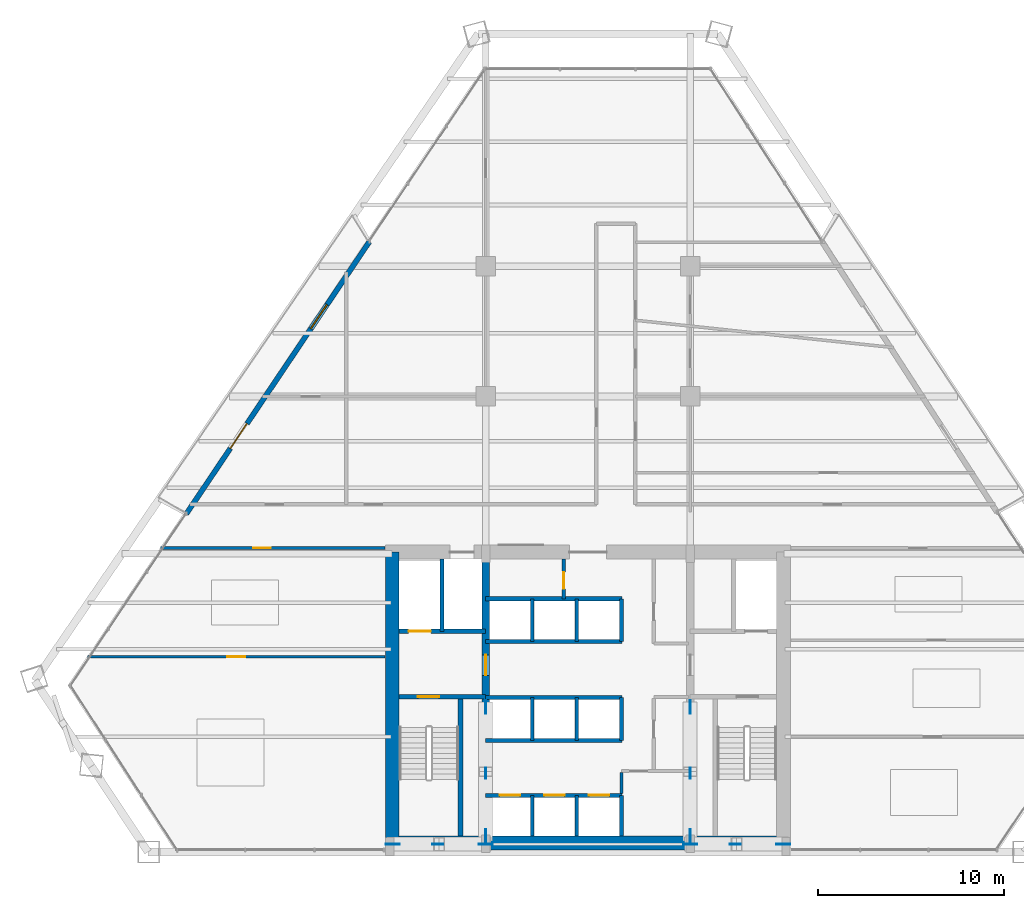
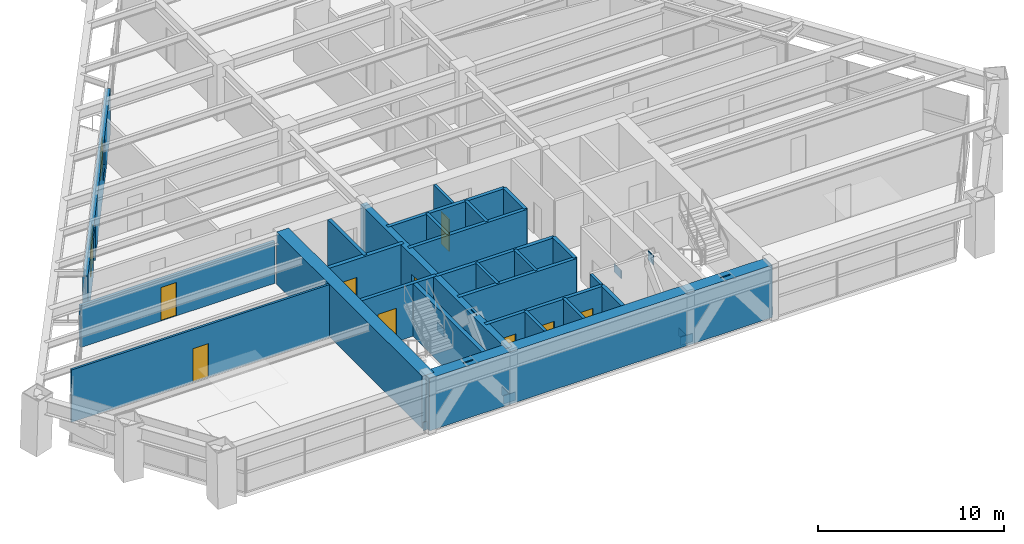
# One storey, part 10 of 14: 26 walls, 12 plates, 10 doors, 1 window, 11 openings.
"""IFC4 building model written with IfcOpenShell, lengths in metres."""

from ifc_helpers import new_model, si_unit, direction, frame, frame_2d, origin, origin_2d, place, context, subcontext, project, spatial, rectangle, extrude, source, transform, mapped, material, layer, layer_set, type_object, type_shapes, element, fill, save


model = new_model("IFC4")

# Units and contexts
model_context = context("Model", 3, precision=1e-05, world=origin(), true_north=direction((0.0, 1.0)))
body_context = subcontext(model_context, "Body", "Model", "MODEL_VIEW")
ifc_project = project(units=[si_unit("LENGTHUNIT", "METRE"), si_unit("AREAUNIT", "SQUARE_METRE"), si_unit("VOLUMEUNIT", "CUBIC_METRE"), si_unit("PLANEANGLEUNIT", "RADIAN"), si_unit("MASSUNIT", "GRAM", prefix="KILO")], contexts=[model_context])

# Site, building, storey
site_placement = place(None, origin())
site = spatial("IfcSite", under=ifc_project, at=site_placement, CompositionType="ELEMENT")
building_placement = place(site_placement, origin())
building = spatial("IfcBuilding", under=site, at=building_placement, Name="Varnakhor Terracotta Tower", CompositionType="ELEMENT")
storey_placement = place(building_placement, frame((0.0, 0.0, 95.10009765625)))
storey = spatial("IfcBuildingStorey", under=building, at=storey_placement, Name="L23", CompositionType="ELEMENT", Elevation=95.10009765625)

# Plates
ifc_material_1 = material(Name="Steel S460", Category="steel")
ifc_layer_1 = layer(ifc_material_1, 0.050048828125, Name="Steel S460")
ifc_layer_set_1 = layer_set([ifc_layer_1], Name="Steel S460")
plate_type = type_object("IfcPlateType", Name="PLT-GUSSET-50", PredefinedType="USERDEFINED", material=ifc_layer_set_1)
shared_shape_1 = source(origin(), body_context, "Body", "SweptSolid", [
    extrude(rectangle(XDim=0.75, YDim=0.0400390625, at=origin_2d()), origin(), (0.0, 0.0, 1.0), 0.550048828125),
])
type_shapes(plate_type, [shared_shape_1])
for number, where, z_axis, x_axis, name in (
    (1, (-10.5, 0.419921875, -0.09521484375), (0.0, 0.0, 1.0), (1.0, 0.0, 0.0), "L23 Core Brace Embed Plate CSWA"),
    (2, (-5.5, 0.419921875, -0.09521484375), (0.0, 0.0, 1.0), (1.0, 0.0, 0.0), "L23 Core Brace Embed Plate CSWB"),
    (3, (5.5, 0.419921875, -0.09521484375), (0.0, 0.0, 1.0), (1.0, 0.0, 0.0), "L23 Core Brace Embed Plate CSEA"),
    (4, (10.5, 0.419921875, -0.09521484375), (0.0, 0.0, 1.0), (1.0, 0.0, 0.0), "L23 Core Brace Embed Plate CSEB"),
    (5, (-5.5, 0.85009765625, -0.09521484375), (0.0, 0.0, 1.0), (0.0, 1.0, 0.0), "L23 Core Brace Embed Plate CWWA"),
    (6, (-5.5, 7.800048828125, -0.09521484375), (0.0, 0.0, 1.0), (0.0, 1.0, 0.0), "L23 Core Brace Embed Plate CWWB"),
    (7, (5.5, 0.85009765625, -0.09521484375), (0.0, 0.0, 1.0), (0.0, 1.0, 0.0), "L23 Core Brace Embed Plate CWEA"),
    (8, (5.5, 7.800048828125, -0.09521484375), (0.0, 0.0, 1.0), (0.0, 1.0, 0.0), "L23 Core Brace Embed Plate CWEB"),
):
    element("IfcPlate", number, at=place(storey_placement, frame(where, z_axis=z_axis, x_axis=x_axis)), inside=storey, type_object=plate_type, Name=name, ObjectType="GUSSET PLATE", PredefinedType="USERDEFINED", context=body_context, shape_type="MappedRepresentation", body=[
        mapped(shared_shape_1, transform((0.0, 0.0, 0.0), scale=1.0)),
    ])
shared_shape_2 = source(origin(), body_context, "Body", "SweptSolid", [
    extrude(rectangle(XDim=0.580078125, YDim=0.0400390625, at=origin_2d()), origin(), (0.0, 0.0, 1.0), 0.580078125),
])
for number, where, z_axis, x_axis, name in (
    (9, (-8.072509765625, 0.419921875, 2.9140625), (0.0, 0.0, 1.0), (1.0, 0.0, 0.0), "L23 Brace End Connection Plate 96"),
    (10, (7.927490234375, 0.419921875, 2.9140625), (0.0, 0.0, 1.0), (1.0, 0.0, 0.0), "L23 Brace End Connection Plate 97"),
    (11, (-5.5, 4.238037109375, 2.92724609375), (0.0, 0.0, 1.0), (0.0, 1.0, 0.0), "L23 Brace End Connection Plate 98"),
    (12, (5.5, 4.238037109375, 2.92724609375), (0.0, 0.0, 1.0), (0.0, 1.0, 0.0), "L23 Brace End Connection Plate 99"),
):
    element("IfcPlate", number, at=place(storey_placement, frame(where, z_axis=z_axis, x_axis=x_axis)), inside=storey, type_object=plate_type, Name=name, ObjectType="GUSSET PLATE", PredefinedType="USERDEFINED", context=body_context, shape_type="MappedRepresentation", body=[
        mapped(shared_shape_2, transform((0.0, 0.0, 0.0), scale=1.0)),
    ])

# Walls
ifc_material_2 = material(Name="Concrete C60/75", Category="concrete")
ifc_layer_2 = layer(ifc_material_2, 0.75, Name="Concrete C60/75")
ifc_layer_set_2 = layer_set([ifc_layer_2], Name="Concrete C60/75")
wall_type_1 = type_object("IfcWallType", Name="WAL-CORE-750", PredefinedType="SHEAR", material=ifc_layer_set_2)
wall_1_placement = place(storey_placement, frame((-10.64990234375, 0.47509765625, 0.0), z_axis=(0.0, 0.0, 1.0), x_axis=(1.0, 0.0, 0.0)))
element("IfcWall", 13, at=wall_1_placement, inside=storey, type_object=wall_type_1, Name="L23 South Core Shear Wall", PredefinedType="SHEAR", context=body_context, shape_type="SweptSolid", body=[
    extrude(rectangle(XDim=21.2998046875, YDim=0.75, at=frame_2d((10.64990234375, 0.0))), origin(), (0.0, 0.0, 1.0), 3.449951171875),
])
wall_2_placement = place(storey_placement, frame((-10.52490234375, 0.47509765625, 0.0), z_axis=(0.0, 0.0, 1.0), x_axis=(0.0, 1.0, 0.0)))
element("IfcWall", 14, at=wall_2_placement, inside=storey, type_object=wall_type_1, Name="L23 West Core Shear Wall", PredefinedType="SHEAR", context=body_context, shape_type="SweptSolid", body=[
    extrude(rectangle(XDim=15.64990234375, YDim=0.75, at=frame_2d((7.824951171875, 0.0))), origin(), (0.0, 0.0, 1.0), 3.449951171875),
])

# Wall, opening, door
ifc_material_3 = material(Name="Concrete C50/60", Category="concrete")
ifc_layer_3 = layer(ifc_material_3, 0.39990234375, Name="Concrete C50/60")
ifc_layer_set_3 = layer_set([ifc_layer_3], Name="Concrete C50/60")
wall_type_2 = type_object("IfcWallType", Name="WAL-CORE-WEB-400", PredefinedType="SHEAR", material=ifc_layer_set_3)
wall_3_placement = place(storey_placement, frame((-5.5, 0.47509765625, 0.0), z_axis=(0.0, 0.0, 1.0), x_axis=(0.0, 1.0, 0.0)))
wall_3 = element("IfcWall", 15, at=wall_3_placement, inside=storey, type_object=wall_type_2, Name="L23 West Core Web Shear Wall", PredefinedType="SHEAR", context=body_context, shape_type="SweptSolid", body=[
    extrude(rectangle(XDim=15.64990234375, YDim=0.39990234375, at=frame_2d((7.824951171875, 0.0))), origin(), (0.0, 0.0, 1.0), 3.449951171875),
])
opening_1_placement = place(wall_3_placement, frame((9.02490234375, 0.0, 0.0)))
opening_1 = element("IfcOpeningElement", 16, at=opening_1_placement, cuts=wall_3, Name="Opening DR-25", PredefinedType="OPENING", context=body_context, shape_type="SweptSolid", body=[
    extrude(rectangle(XDim=1.10009765625, YDim=2.199951171875, at=frame_2d((0.550048828125, 1.10009765625))), frame((0.0, 0.2099609375, 0.0), z_axis=(0.0, -1.0, 0.0), x_axis=(1.0, 0.0, 0.0)), (0.0, 0.0, 1.0), 0.419921875),
])
ifc_material_4 = material(Name="Firefighting Lobby Self-Closing Fire Door", Category="steel")
door_type_1 = type_object("IfcDoorType", Name="DR-FFL-1100X2200", OperationType="NOTDEFINED", PredefinedType="DOOR", material=ifc_material_4)
shared_shape_3 = source(origin(), body_context, "Body", "SweptSolid", [
    extrude(rectangle(XDim=1.10009765625, YDim=2.199951171875, at=frame_2d((0.550048828125, 1.10009765625))), frame((0.0, 0.02490234375, 0.0), z_axis=(0.0, -1.0, 0.0), x_axis=(1.0, 0.0, 0.0)), (0.0, 0.0, 1.0), 0.050048828125),
])
type_shapes(door_type_1, [shared_shape_3])
door_1_placement = place(opening_1_placement, origin())
door_1 = element("IfcDoor", 17, at=door_1_placement, inside=storey, type_object=door_type_1, Name="L23 West Firefighting Lobby Door", OperationType="SINGLE_SWING_LEFT", OverallHeight=2.199951171875, OverallWidth=1.10009765625, PredefinedType="DOOR", context=body_context, shape_type="MappedRepresentation", body=[
    mapped(shared_shape_3, transform((0.0, 0.0, 0.0), scale=1.0)),
])
fill(opening_1, door_1)

ifc_material_5 = material(Name="Fire-Rated Gypsum Stud Partition", Category="gypsum")
ifc_layer_4 = layer(ifc_material_5, 0.18505859375, Name="Fire-Rated Gypsum Stud Partition")
ifc_layer_set_4 = layer_set([ifc_layer_4], Name="Fire-Rated Gypsum Stud Partition")
wall_type_3 = type_object("IfcWallType", Name="WAL-CORR-185", PredefinedType="PARTITIONING", material=ifc_layer_set_4)
wall_4_placement = place(storey_placement, frame((-22.99267578125, 16.35009765625, 0.0), z_axis=(0.0, 0.0, 1.0), x_axis=(1.0, 0.0, 0.0)))
wall_4 = element("IfcWall", 18, at=wall_4_placement, inside=storey, type_object=wall_type_3, Name="L23 South West Corridor Wall", PredefinedType="PARTITIONING", context=body_context, shape_type="SweptSolid", body=[
    extrude(rectangle(XDim=12.07275390625, YDim=0.18505859375, at=frame_2d((6.036376953125, 0.0))), origin(), (0.0, 0.0, 1.0), 2.746826171875),
])
opening_2_placement = place(wall_4_placement, frame((4.99169921875, 0.0, 0.0)))
opening_2 = element("IfcOpeningElement", 19, at=opening_2_placement, cuts=wall_4, Name="Opening DR-94", PredefinedType="OPENING", context=body_context, shape_type="SweptSolid", body=[
    extrude(rectangle(XDim=0.949951171875, YDim=2.199951171875, at=frame_2d((0.47509765625, 1.10009765625))), frame((0.0, 0.1025390625, 0.0), z_axis=(0.0, -1.0, 0.0), x_axis=(1.0, 0.0, 0.0)), (0.0, 0.0, 1.0), 0.205078125),
])
ifc_material_6 = material(Name="Acoustic Glazed-Vision Timber Office Door", Category="wood")
door_type_2 = type_object("IfcDoorType", Name="DR-OFF-950X2200", OperationType="NOTDEFINED", PredefinedType="DOOR", material=ifc_material_6)
shared_shape_4 = source(origin(), body_context, "Body", "SweptSolid", [
    extrude(rectangle(XDim=0.949951171875, YDim=2.199951171875, at=frame_2d((0.47509765625, 1.10009765625))), frame((0.0, 0.02490234375, 0.0), z_axis=(0.0, -1.0, 0.0), x_axis=(1.0, 0.0, 0.0)), (0.0, 0.0, 1.0), 0.050048828125),
])
type_shapes(door_type_2, [shared_shape_4])
door_2_placement = place(opening_2_placement, origin())
door_2 = element("IfcDoor", 20, at=door_2_placement, inside=storey, type_object=door_type_2, Name="L23 SW Suite Door", OperationType="SINGLE_SWING_RIGHT", OverallHeight=2.199951171875, OverallWidth=0.949951171875, PredefinedType="DOOR", context=body_context, shape_type="MappedRepresentation", body=[
    mapped(shared_shape_4, transform((0.0, 0.0, 0.0), scale=1.0)),
])
fill(opening_2, door_2)

# Wall, openings, door, window
ifc_material_7 = material(Name="Extruded Architectural Terracotta Assembly", Category="masonry")
ifc_layer_5 = layer(ifc_material_7, 0.280029296875, Name="Extruded Architectural Terracotta Assembly")
ifc_layer_set_5 = layer_set([ifc_layer_5], Name="Extruded Architectural Terracotta Assembly")
wall_type_4 = type_object("IfcWallType", Name="WAL-EXT-TERRACOTTA-280", PredefinedType="SOLIDWALL", material=ifc_layer_set_5)
wall_5_placement = place(storey_placement, frame((-21.593017578125, 18.1982421875, 0.0), z_axis=(0.0, 0.0, 1.0), x_axis=(0.558059384835, 0.829801014097, 0.0)))
wall_5 = element("IfcWall", 21, at=wall_5_placement, inside=storey, type_object=wall_type_4, Name="L23 W Loggia Insulated Terracotta Wall", PredefinedType="SOLIDWALL", context=body_context, shape_type="SweptSolid", body=[
    extrude(rectangle(XDim=17.636962890625, YDim=0.280029296875, at=frame_2d((8.818359375, 0.0))), origin(), (0.0, 0.0, 1.0), 3.02978515625),
])
opening_3_placement = place(wall_5_placement, frame((4.23291015625, 0.0, 0.0)))
opening_3 = element("IfcOpeningElement", 22, at=opening_3_placement, cuts=wall_5, Name="Opening DR-62", PredefinedType="OPENING", context=body_context, shape_type="SweptSolid", body=[
    extrude(rectangle(XDim=1.60009765625, YDim=2.35009765625, at=frame_2d((0.800048828125, 1.175048828125))), frame((0.0, 0.14990234375, 0.0), z_axis=(0.0, -1.0, 0.0), x_axis=(1.0, 0.0, 0.0)), (0.0, 0.0, 1.0), 0.300048828125),
])
opening_4_placement = place(wall_5_placement, frame((11.9931640625, 0.0, 0.89990234375)))
opening_4 = element("IfcOpeningElement", 23, at=opening_4_placement, cuts=wall_5, Name="Opening WN-57", PredefinedType="OPENING", context=body_context, shape_type="SweptSolid", body=[
    extrude(rectangle(XDim=1.550048828125, YDim=1.85009765625, at=frame_2d((0.77490234375, 0.925048828125))), frame((0.0, 0.14990234375, 0.0), z_axis=(0.0, -1.0, 0.0), x_axis=(1.0, 0.0, 0.0)), (0.0, 0.0, 1.0), 0.300048828125),
])
ifc_material_8 = material(Name="Thermally Broken Sliding Glass Loggia Door", Category="glass")
door_type_3 = type_object("IfcDoorType", Name="DR-EXT-LOGGIA-1600X2350", OperationType="NOTDEFINED", PredefinedType="DOOR", material=ifc_material_8)
shared_shape_5 = source(origin(), body_context, "Body", "SweptSolid", [
    extrude(rectangle(XDim=1.60009765625, YDim=2.35009765625, at=frame_2d((0.800048828125, 1.175048828125))), frame((0.0, 0.02490234375, 0.0), z_axis=(0.0, -1.0, 0.0), x_axis=(1.0, 0.0, 0.0)), (0.0, 0.0, 1.0), 0.050048828125),
])
type_shapes(door_type_3, [shared_shape_5])
door_3_placement = place(opening_3_placement, origin())
door_3 = element("IfcDoor", 24, at=door_3_placement, inside=storey, type_object=door_type_3, Name="L23 W Recessed Loggia Sliding Door", OperationType="SLIDING_TO_LEFT", OverallHeight=2.35009765625, OverallWidth=1.60009765625, PredefinedType="DOOR", context=body_context, shape_type="MappedRepresentation", body=[
    mapped(shared_shape_5, transform((0.0, 0.0, 0.0), scale=1.0)),
])
fill(opening_3, door_3)
ifc_material_9 = material(Name="Solar-Control Low-E Insulated Glass Unit", Category="glass")
window_type = type_object("IfcWindowType", Name="WIN-OFF-1650X2100", PartitioningType="SINGLE_PANEL", PredefinedType="WINDOW", material=ifc_material_9)
shared_shape_6 = source(origin(), body_context, "Body", "SweptSolid", [
    extrude(rectangle(XDim=1.550048828125, YDim=1.85009765625, at=frame_2d((0.77490234375, 0.925048828125))), frame((0.0, 0.030029296875, 0.0), z_axis=(0.0, -1.0, 0.0), x_axis=(1.0, 0.0, 0.0)), (0.0, 0.0, 1.0), 0.06005859375),
])
type_shapes(window_type, [shared_shape_6])
window_placement = place(opening_4_placement, origin())
window = element("IfcWindow", 25, at=window_placement, inside=storey, type_object=window_type, Name="L23 W Facet Punched Window", OverallHeight=1.85009765625, OverallWidth=1.550048828125, PartitioningType="SINGLE_PANEL", PredefinedType="WINDOW", context=body_context, shape_type="MappedRepresentation", body=[
    mapped(shared_shape_6, transform((0.0, 0.0, 0.0), scale=1.0)),
])
fill(opening_4, window)

# Wall, opening, door
ifc_material_10 = material(Name="Concrete C40/50", Category="concrete")
ifc_layer_6 = layer(ifc_material_10, 0.219970703125, Name="Concrete C40/50")
ifc_layer_set_6 = layer_set([ifc_layer_6], Name="Concrete C40/50")
wall_type_5 = type_object("IfcWallType", Name="WAL-FFLOBBY-220", PredefinedType="SOLIDWALL", material=ifc_layer_set_6)
wall_6_placement = place(storey_placement, frame((-5.5, 8.35009765625, 0.0), z_axis=(0.0, 0.0, 1.0), x_axis=(-1.0, 0.0, 0.0)))
wall_6 = element("IfcWall", 26, at=wall_6_placement, inside=storey, type_object=wall_type_5, Name="L23 West Firefighting Lobby Stair Wall", PredefinedType="SOLIDWALL", context=body_context, shape_type="SweptSolid", body=[
    extrude(rectangle(XDim=4.64990234375, YDim=0.219970703125, at=frame_2d((2.324951171875, 0.0))), origin(), (0.0, 0.0, 1.0), 3.449951171875),
])
opening_5_placement = place(wall_6_placement, frame((2.5, 0.0, 0.0)))
opening_5 = element("IfcOpeningElement", 27, at=opening_5_placement, cuts=wall_6, Name="Opening DR-34", PredefinedType="OPENING", context=body_context, shape_type="SweptSolid", body=[
    extrude(rectangle(XDim=1.14990234375, YDim=2.199951171875, at=frame_2d((0.574951171875, 1.10009765625))), frame((0.0, 0.1201171875, 0.0), z_axis=(0.0, -1.0, 0.0), x_axis=(1.0, 0.0, 0.0)), (0.0, 0.0, 1.0), 0.239990234375),
])
ifc_material_11 = material(Name="Self-Closing Smoke-Sealed Steel Fire Door", Category="steel")
door_type_4 = type_object("IfcDoorType", Name="DR-STAIR-1150X2200", OperationType="NOTDEFINED", PredefinedType="DOOR", material=ifc_material_11)
shared_shape_7 = source(origin(), body_context, "Body", "SweptSolid", [
    extrude(rectangle(XDim=1.14990234375, YDim=2.199951171875, at=frame_2d((0.574951171875, 1.10009765625))), frame((0.0, 0.02490234375, 0.0), z_axis=(0.0, -1.0, 0.0), x_axis=(1.0, 0.0, 0.0)), (0.0, 0.0, 1.0), 0.050048828125),
])
type_shapes(door_type_4, [shared_shape_7])
door_4_placement = place(opening_5_placement, origin())
door_4 = element("IfcDoor", 28, at=door_4_placement, inside=storey, type_object=door_type_4, Name="L23 Exit Stair ST-1 Fire Door", OperationType="SINGLE_SWING_RIGHT", OverallHeight=2.199951171875, OverallWidth=1.14990234375, PredefinedType="DOOR", context=body_context, shape_type="MappedRepresentation", body=[
    mapped(shared_shape_7, transform((0.0, 0.0, 0.0), scale=1.0)),
])
fill(opening_5, door_4)

ifc_material_12 = material(Name="Acoustic Metal-Stud Partition", Category="gypsum")
ifc_layer_7 = layer(ifc_material_12, 0.139892578125, Name="Acoustic Metal-Stud Partition")
ifc_layer_set_7 = layer_set([ifc_layer_7], Name="Acoustic Metal-Stud Partition")
wall_type_6 = type_object("IfcWallType", Name="WAL-PART-140", PredefinedType="PARTITIONING", material=ifc_layer_set_7)
wall_7_placement = place(storey_placement, frame((-26.9267578125, 10.5, 0.0), z_axis=(0.0, 0.0, 1.0), x_axis=(1.0, 0.0, 0.0)))
wall_7 = element("IfcWall", 29, at=wall_7_placement, inside=storey, type_object=wall_type_6, Name="L23 South West Cut 1", PredefinedType="PARTITIONING", context=body_context, shape_type="SweptSolid", body=[
    extrude(rectangle(XDim=16.0068359375, YDim=0.139892578125, at=frame_2d((8.00341796875, 0.0))), origin(), (0.0, 0.0, 1.0), 3.44189453125),
])
opening_6_placement = place(wall_7_placement, frame((7.540283203125, 0.0, 0.0)))
opening_6 = element("IfcOpeningElement", 30, at=opening_6_placement, cuts=wall_7, Name="Opening DR-94", PredefinedType="OPENING", context=body_context, shape_type="SweptSolid", body=[
    extrude(rectangle(XDim=0.949951171875, YDim=2.199951171875, at=frame_2d((0.47509765625, 1.10009765625))), frame((0.0, 0.080078125, 0.0), z_axis=(0.0, -1.0, 0.0), x_axis=(1.0, 0.0, 0.0)), (0.0, 0.0, 1.0), 0.159912109375),
])
door_5_placement = place(opening_6_placement, origin())
door_5 = element("IfcDoor", 31, at=door_5_placement, inside=storey, type_object=door_type_2, Name="L23 South West Executive Office Door", OperationType="SINGLE_SWING_RIGHT", OverallHeight=2.199951171875, OverallWidth=0.949951171875, PredefinedType="DOOR", context=body_context, shape_type="MappedRepresentation", body=[
    mapped(shared_shape_4, transform((0.0, 0.0, 0.0), scale=1.0)),
])
fill(opening_6, door_5)

# Walls
ifc_layer_8 = layer(ifc_material_10, 0.179931640625, Name="Concrete C40/50")
ifc_layer_set_8 = layer_set([ifc_layer_8], Name="Concrete C40/50")
wall_type_7 = type_object("IfcWallType", Name="WAL-SHAFT-180", PredefinedType="SOLIDWALL", material=ifc_layer_set_8)
for number, where, z_axis, x_axis, name in (
    (32, (-3.0, 0.85009765625, 0.0), (0.0, 0.0, 1.0), (0.0, 1.0, 0.0), "L23 PL-1A Divider"),
    (33, (-0.60009765625, 0.85009765625, 0.0), (0.0, 0.0, 1.0), (0.0, 1.0, 0.0), "L23 PL-1B Divider"),
):
    element("IfcWall", number, at=place(storey_placement, frame(where, z_axis=z_axis, x_axis=x_axis)), inside=storey, type_object=wall_type_7, Name=name, PredefinedType="SOLIDWALL", context=body_context, shape_type="SweptSolid", body=[
        extrude(rectangle(XDim=2.199951171875, YDim=0.179931640625, at=frame_2d((1.10009765625, 0.0))), origin(), (0.0, 0.0, 1.0), 3.449951171875),
    ])
for number, where, z_axis, x_axis, name in (
    (34, (-3.0, 6.0, 0.0), (0.0, 0.0, 1.0), (0.0, 1.0, 0.0), "L23 PL-2A Divider"),
    (35, (-0.60009765625, 6.0, 0.0), (0.0, 0.0, 1.0), (0.0, 1.0, 0.0), "L23 PL-2B Divider"),
    (36, (-3.0, 11.320068359375, 0.0), (0.0, 0.0, 1.0), (0.0, 1.0, 0.0), "L23 PL-3A Divider"),
    (37, (-0.60009765625, 11.320068359375, 0.0), (0.0, 0.0, 1.0), (0.0, 1.0, 0.0), "L23 PL-3B Divider"),
):
    element("IfcWall", number, at=place(storey_placement, frame(where, z_axis=z_axis, x_axis=x_axis)), inside=storey, type_object=wall_type_7, Name=name, PredefinedType="SOLIDWALL", context=body_context, shape_type="SweptSolid", body=[
        extrude(rectangle(XDim=2.300048828125, YDim=0.179931640625, at=frame_2d((1.14990234375, 0.0))), origin(), (0.0, 0.0, 1.0), 3.449951171875),
    ])
ifc_layer_9 = layer(ifc_material_10, 0.219970703125, Name="Concrete C40/50")
ifc_layer_set_9 = layer_set([ifc_layer_9], Name="Concrete C40/50")
wall_type_8 = type_object("IfcWallType", Name="WAL-SHAFT-220", PredefinedType="SOLIDWALL", material=ifc_layer_set_9)
wall_8_placement = place(storey_placement, frame((-7.840087890625, 11.8701171875, 0.0), z_axis=(0.0, 0.0, 1.0), x_axis=(0.0, 1.0, 0.0)))
element("IfcWall", 38, at=wall_8_placement, inside=storey, type_object=wall_type_8, Name="L23 Lift FFL-1 and SVL-1 Divider Wall", PredefinedType="SOLIDWALL", context=body_context, shape_type="SweptSolid", body=[
    extrude(rectangle(XDim=3.8798828125, YDim=0.219970703125, at=frame_2d((1.93994140625, 0.0))), origin(), (0.0, 0.0, 1.0), 3.449951171875),
])

# Wall, openings, doors
wall_9_placement = place(storey_placement, frame((-5.5, 3.050048828125, 0.0), z_axis=(0.0, 0.0, 1.0), x_axis=(1.0, 0.0, 0.0)))
wall_9 = element("IfcWall", 39, at=wall_9_placement, inside=storey, type_object=wall_type_8, Name="L23 Bank 1 Lift Shaft Wall", PredefinedType="SOLIDWALL", context=body_context, shape_type="SweptSolid", body=[
    extrude(rectangle(XDim=7.320068359375, YDim=0.219970703125, at=frame_2d((3.66015625, 0.0))), origin(), (0.0, 0.0, 1.0), 3.449951171875),
])
opening_7_placement = place(wall_9_placement, frame((0.75, 0.0, 0.0)))
opening_7 = element("IfcOpeningElement", 40, at=opening_7_placement, cuts=wall_9, Name="Opening LD-01", PredefinedType="OPENING", context=body_context, shape_type="SweptSolid", body=[
    extrude(rectangle(XDim=1.10009765625, YDim=2.199951171875, at=frame_2d((0.550048828125, 1.10009765625))), frame((0.0, 0.1201171875, 0.0), z_axis=(0.0, -1.0, 0.0), x_axis=(1.0, 0.0, 0.0)), (0.0, 0.0, 1.0), 0.239990234375),
])
opening_8_placement = place(wall_9_placement, frame((3.14990234375, 0.0, 0.0)))
opening_8 = element("IfcOpeningElement", 41, at=opening_8_placement, cuts=wall_9, Name="Opening LD-01", PredefinedType="OPENING", context=body_context, shape_type="SweptSolid", body=[
    extrude(rectangle(XDim=1.10009765625, YDim=2.199951171875, at=frame_2d((0.550048828125, 1.10009765625))), frame((0.0, 0.1201171875, 0.0), z_axis=(0.0, -1.0, 0.0), x_axis=(1.0, 0.0, 0.0)), (0.0, 0.0, 1.0), 0.239990234375),
])
opening_9_placement = place(wall_9_placement, frame((5.550048828125, 0.0, 0.0)))
opening_9 = element("IfcOpeningElement", 42, at=opening_9_placement, cuts=wall_9, Name="Opening LD-01", PredefinedType="OPENING", context=body_context, shape_type="SweptSolid", body=[
    extrude(rectangle(XDim=1.10009765625, YDim=2.199951171875, at=frame_2d((0.550048828125, 1.10009765625))), frame((0.0, 0.1201171875, 0.0), z_axis=(0.0, -1.0, 0.0), x_axis=(1.0, 0.0, 0.0)), (0.0, 0.0, 1.0), 0.239990234375),
])
ifc_material_13 = material(Name="Brushed Stainless Steel Sliding Lift Landing Door", Category="steel")
door_type_5 = type_object("IfcDoorType", Name="LD-PASS-1100X2200", OperationType="NOTDEFINED", PredefinedType="DOOR", material=ifc_material_13)
shared_shape_8 = source(origin(), body_context, "Body", "SweptSolid", [
    extrude(rectangle(XDim=1.10009765625, YDim=2.199951171875, at=frame_2d((0.550048828125, 1.10009765625))), frame((0.0, 0.02490234375, 0.0), z_axis=(0.0, -1.0, 0.0), x_axis=(1.0, 0.0, 0.0)), (0.0, 0.0, 1.0), 0.050048828125),
])
type_shapes(door_type_5, [shared_shape_8])
door_6_placement = place(opening_7_placement, origin())
door_6 = element("IfcDoor", 43, at=door_6_placement, inside=storey, type_object=door_type_5, Name="L23 Passenger Lift PL-1A Landing Door", OperationType="SLIDING_TO_RIGHT", OverallHeight=2.199951171875, OverallWidth=1.10009765625, PredefinedType="DOOR", context=body_context, shape_type="MappedRepresentation", body=[
    mapped(shared_shape_8, transform((0.0, 0.0, 0.0), scale=1.0)),
])
fill(opening_7, door_6)
door_7_placement = place(opening_8_placement, origin())
door_7 = element("IfcDoor", 44, at=door_7_placement, inside=storey, type_object=door_type_5, Name="L23 Passenger Lift PL-1B Landing Door", OperationType="SLIDING_TO_RIGHT", OverallHeight=2.199951171875, OverallWidth=1.10009765625, PredefinedType="DOOR", context=body_context, shape_type="MappedRepresentation", body=[
    mapped(shared_shape_8, transform((0.0, 0.0, 0.0), scale=1.0)),
])
fill(opening_8, door_7)
door_8_placement = place(opening_9_placement, origin())
door_8 = element("IfcDoor", 45, at=door_8_placement, inside=storey, type_object=door_type_5, Name="L23 Passenger Lift PL-1C Landing Door", OperationType="SLIDING_TO_RIGHT", OverallHeight=2.199951171875, OverallWidth=1.10009765625, PredefinedType="DOOR", context=body_context, shape_type="MappedRepresentation", body=[
    mapped(shared_shape_8, transform((0.0, 0.0, 0.0), scale=1.0)),
])
fill(opening_9, door_8)

# Walls
wall_10_placement = place(storey_placement, frame((1.800048828125, 0.85009765625, 0.0), z_axis=(0.0, 0.0, 1.0), x_axis=(0.0, 1.0, 0.0)))
element("IfcWall", 46, at=wall_10_placement, inside=storey, type_object=wall_type_8, Name="L23 Bank 1 East Shaft Wall", PredefinedType="SOLIDWALL", context=body_context, shape_type="SweptSolid", body=[
    extrude(rectangle(XDim=2.199951171875, YDim=0.219970703125, at=frame_2d((1.10009765625, 0.0))), origin(), (0.0, 0.0, 1.0), 3.449951171875),
])
for number, where, z_axis, x_axis, name in (
    (47, (-5.5, 6.0, 0.0), (0.0, 0.0, 1.0), (1.0, 0.0, 0.0), "L23 Bank 2 South Shaft Wall"),
    (48, (-5.5, 8.300048828125, 0.0), (0.0, 0.0, 1.0), (1.0, 0.0, 0.0), "L23 Bank 2 North Shaft Wall"),
):
    element("IfcWall", number, at=place(storey_placement, frame(where, z_axis=z_axis, x_axis=x_axis)), inside=storey, type_object=wall_type_8, Name=name, PredefinedType="SOLIDWALL", context=body_context, shape_type="SweptSolid", body=[
        extrude(rectangle(XDim=7.320068359375, YDim=0.219970703125, at=frame_2d((3.66015625, 0.0))), origin(), (0.0, 0.0, 1.0), 3.449951171875),
    ])
wall_11_placement = place(storey_placement, frame((1.800048828125, 6.0, 0.0), z_axis=(0.0, 0.0, 1.0), x_axis=(0.0, 1.0, 0.0)))
element("IfcWall", 49, at=wall_11_placement, inside=storey, type_object=wall_type_8, Name="L23 Bank 2 East Shaft Wall", PredefinedType="SOLIDWALL", context=body_context, shape_type="SweptSolid", body=[
    extrude(rectangle(XDim=2.300048828125, YDim=0.219970703125, at=frame_2d((1.14990234375, 0.0))), origin(), (0.0, 0.0, 1.0), 3.449951171875),
])
for number, where, z_axis, x_axis, name in (
    (50, (-5.5, 11.320068359375, 0.0), (0.0, 0.0, 1.0), (1.0, 0.0, 0.0), "L23 Bank 3 South Shaft Wall"),
    (51, (-5.5, 13.6201171875, 0.0), (0.0, 0.0, 1.0), (1.0, 0.0, 0.0), "L23 Bank 3 North Shaft Wall"),
):
    element("IfcWall", number, at=place(storey_placement, frame(where, z_axis=z_axis, x_axis=x_axis)), inside=storey, type_object=wall_type_8, Name=name, PredefinedType="SOLIDWALL", context=body_context, shape_type="SweptSolid", body=[
        extrude(rectangle(XDim=7.320068359375, YDim=0.219970703125, at=frame_2d((3.66015625, 0.0))), origin(), (0.0, 0.0, 1.0), 3.449951171875),
    ])
wall_12_placement = place(storey_placement, frame((1.800048828125, 11.320068359375, 0.0), z_axis=(0.0, 0.0, 1.0), x_axis=(0.0, 1.0, 0.0)))
element("IfcWall", 52, at=wall_12_placement, inside=storey, type_object=wall_type_8, Name="L23 Bank 3 East Shaft Wall", PredefinedType="SOLIDWALL", context=body_context, shape_type="SweptSolid", body=[
    extrude(rectangle(XDim=2.300048828125, YDim=0.219970703125, at=frame_2d((1.14990234375, 0.0))), origin(), (0.0, 0.0, 1.0), 3.449951171875),
])
ifc_layer_10 = layer(ifc_material_10, 0.25, Name="Concrete C40/50")
ifc_layer_set_10 = layer_set([ifc_layer_10], Name="Concrete C40/50")
wall_type_9 = type_object("IfcWallType", Name="WAL-SHAFT-250", PredefinedType="SOLIDWALL", material=ifc_layer_set_10)
wall_13_placement = place(storey_placement, frame((-6.85009765625, 0.85009765625, 0.0), z_axis=(0.0, 0.0, 1.0), x_axis=(0.0, 1.0, 0.0)))
element("IfcWall", 53, at=wall_13_placement, inside=storey, type_object=wall_type_9, Name="L23 Stair ST-1 Bearing Shaft Wall", PredefinedType="SOLIDWALL", context=body_context, shape_type="SweptSolid", body=[
    extrude(rectangle(XDim=7.5, YDim=0.25, at=frame_2d((3.75, 0.0))), origin(), (0.0, 0.0, 1.0), 3.449951171875),
])

# Wall, opening, door
wall_14_placement = place(storey_placement, frame((-5.5, 11.8701171875, 0.0), z_axis=(0.0, 0.0, 1.0), x_axis=(-1.0, 0.0, 0.0)))
wall_14 = element("IfcWall", 54, at=wall_14_placement, inside=storey, type_object=wall_type_9, Name="L23 Lift FFL-1 Shaft Front Wall", PredefinedType="SOLIDWALL", context=body_context, shape_type="SweptSolid", body=[
    extrude(rectangle(XDim=4.64990234375, YDim=0.25, at=frame_2d((2.324951171875, 0.0))), origin(), (0.0, 0.0, 1.0), 3.449951171875),
])
opening_10_placement = place(wall_14_placement, frame((2.949951171875, 0.0, 0.0)))
opening_10 = element("IfcOpeningElement", 55, at=opening_10_placement, cuts=wall_14, Name="Opening LD-02", PredefinedType="OPENING", context=body_context, shape_type="SweptSolid", body=[
    extrude(rectangle(XDim=1.199951171875, YDim=2.25, at=frame_2d((0.60009765625, 1.125))), frame((0.0, 0.135009765625, 0.0), z_axis=(0.0, -1.0, 0.0), x_axis=(1.0, 0.0, 0.0)), (0.0, 0.0, 1.0), 0.27001953125),
])
ifc_material_14 = material(Name="Firefighting Stretcher Sliding Lift Landing Door", Category="steel")
door_type_6 = type_object("IfcDoorType", Name="LD-FFL-1200X2250", OperationType="NOTDEFINED", PredefinedType="DOOR", material=ifc_material_14)
shared_shape_9 = source(origin(), body_context, "Body", "SweptSolid", [
    extrude(rectangle(XDim=1.199951171875, YDim=2.25, at=frame_2d((0.60009765625, 1.125))), frame((0.0, 0.02490234375, 0.0), z_axis=(0.0, -1.0, 0.0), x_axis=(1.0, 0.0, 0.0)), (0.0, 0.0, 1.0), 0.050048828125),
])
type_shapes(door_type_6, [shared_shape_9])
door_9_placement = place(opening_10_placement, origin())
door_9 = element("IfcDoor", 56, at=door_9_placement, inside=storey, type_object=door_type_6, Name="L23 Firefighting Lift FFL-1 Landing Door", OperationType="SLIDING_TO_LEFT", OverallHeight=2.25, OverallWidth=1.199951171875, PredefinedType="DOOR", context=body_context, shape_type="MappedRepresentation", body=[
    mapped(shared_shape_9, transform((0.0, 0.0, 0.0), scale=1.0)),
])
fill(opening_10, door_9)

# Wall
ifc_material_15 = material(Name="Acoustic Fire-Rated Partition", Category="gypsum")
ifc_layer_11 = layer(ifc_material_15, 0.1650390625, Name="Acoustic Fire-Rated Partition")
ifc_layer_set_11 = layer_set([ifc_layer_11], Name="Acoustic Fire-Rated Partition")
wall_type_10 = type_object("IfcWallType", Name="WAL-TENANCY-165", PredefinedType="PARTITIONING", material=ifc_layer_set_11)
wall_15_placement = place(storey_placement, frame((1.800048828125, 3.159912109375, 0.0), z_axis=(0.0, 0.0, 1.0), x_axis=(0.0, 1.0, 0.0)))
element("IfcWall", 57, at=wall_15_placement, inside=storey, type_object=wall_type_10, Name="L23 Core South West Return Wall", PredefinedType="PARTITIONING", context=body_context, shape_type="SweptSolid", body=[
    extrude(rectangle(XDim=1.107666015625, YDim=0.1650390625, at=frame_2d((0.5537109375, 0.0))), origin(), (0.0, 0.0, 1.0), 3.44189453125),
])

# Wall, opening, door
wall_16_placement = place(storey_placement, frame((-1.300048828125, 13.60009765625, 0.0), z_axis=(0.0, 0.0, 1.0), x_axis=(0.0, 1.0, 0.0)))
wall_16 = element("IfcWall", 58, at=wall_16_placement, inside=storey, type_object=wall_type_10, Name="L23 Male Restroom Wall", PredefinedType="PARTITIONING", context=body_context, shape_type="SweptSolid", body=[
    extrude(rectangle(XDim=2.14990234375, YDim=0.1650390625, at=frame_2d((1.074951171875, 0.0))), origin(), (0.0, 0.0, 1.0), 3.44189453125),
])
opening_11_placement = place(wall_16_placement, frame((0.550048828125, 0.0, 0.0)))
opening_11 = element("IfcOpeningElement", 59, at=opening_11_placement, cuts=wall_16, Name="Opening DR-67", PredefinedType="OPENING", context=body_context, shape_type="SweptSolid", body=[
    extrude(rectangle(XDim=0.89990234375, YDim=2.10009765625, at=frame_2d((0.449951171875, 1.050048828125))), frame((0.0, 0.092529296875, 0.0), z_axis=(0.0, -1.0, 0.0), x_axis=(1.0, 0.0, 0.0)), (0.0, 0.0, 1.0), 0.18505859375),
])
ifc_material_16 = material(Name="Steel Service Riser Fire Door", Category="steel")
door_type_7 = type_object("IfcDoorType", Name="DR-RISER-900X2100", OperationType="NOTDEFINED", PredefinedType="DOOR", material=ifc_material_16)
shared_shape_10 = source(origin(), body_context, "Body", "SweptSolid", [
    extrude(rectangle(XDim=0.89990234375, YDim=2.10009765625, at=frame_2d((0.449951171875, 1.050048828125))), frame((0.0, 0.02490234375, 0.0), z_axis=(0.0, -1.0, 0.0), x_axis=(1.0, 0.0, 0.0)), (0.0, 0.0, 1.0), 0.050048828125),
])
type_shapes(door_type_7, [shared_shape_10])
door_10_placement = place(opening_11_placement, origin())
door_10 = element("IfcDoor", 60, at=door_10_placement, inside=storey, type_object=door_type_7, Name="L23 Male WC Door", OperationType="SINGLE_SWING_RIGHT", OverallHeight=2.10009765625, OverallWidth=0.89990234375, PredefinedType="DOOR", context=body_context, shape_type="MappedRepresentation", body=[
    mapped(shared_shape_10, transform((0.0, 0.0, 0.0), scale=1.0)),
])
fill(opening_11, door_10)

save(model, "model.ifc")
